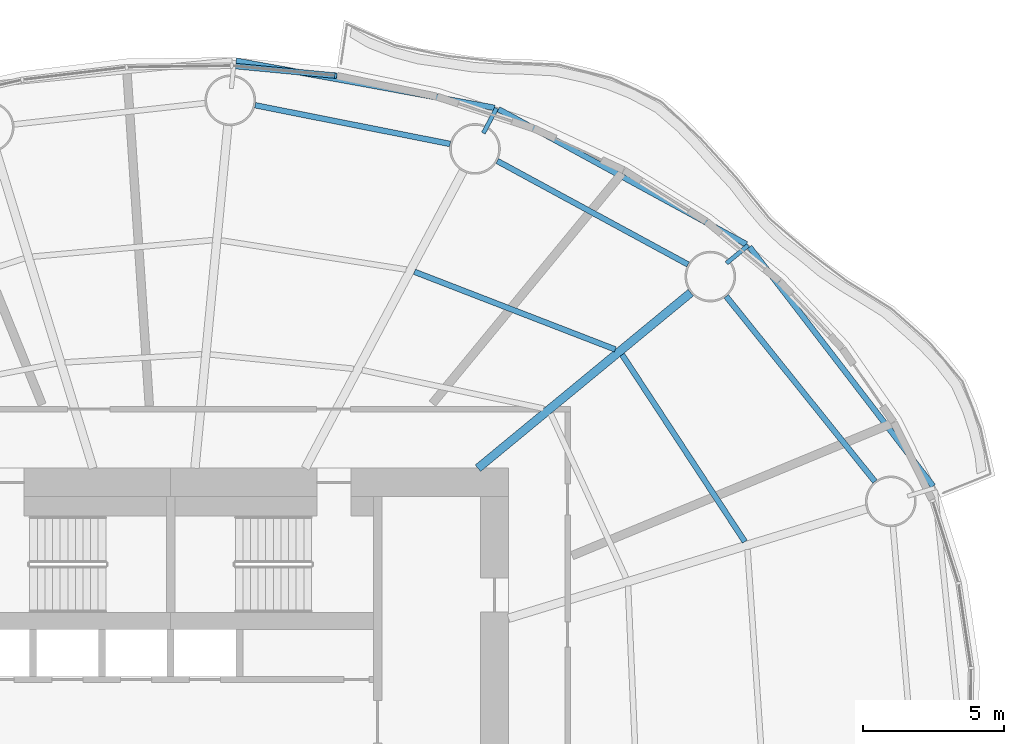
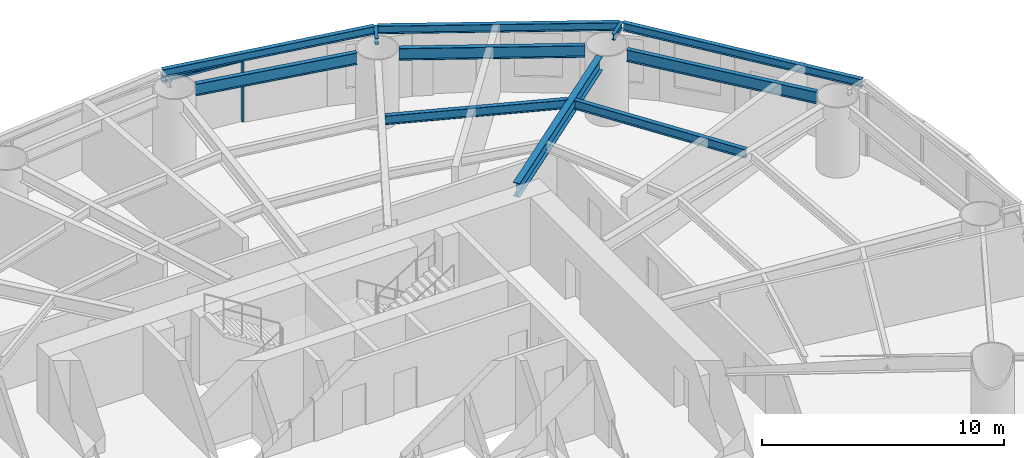
# One storey, part 6 of 16: 11 beams, 2 members, 1 element without a shape of its own.
"""IFC4 building model written with IfcOpenShell, lengths in metres."""

from ifc_helpers import new_model, si_unit, direction, frame, origin, origin_2d, place, context, subcontext, project, spatial, rectangle, i_section, extrude, material, material_profile, profile_set, type_object, element, aggregate, save


model = new_model("IFC4")

# Units and contexts
model_context = context("Model", 3, precision=1e-05, world=origin(), true_north=direction((0.0, 1.0)))
body_context = subcontext(model_context, "Body", "Model", "MODEL_VIEW")
ifc_project = project(units=[si_unit("LENGTHUNIT", "METRE"), si_unit("AREAUNIT", "SQUARE_METRE"), si_unit("VOLUMEUNIT", "CUBIC_METRE"), si_unit("PLANEANGLEUNIT", "RADIAN"), si_unit("MASSUNIT", "GRAM", prefix="KILO")], contexts=[model_context])

# Site, building, storey
site_placement = place(None, origin())
site = spatial("IfcSite", under=ifc_project, at=site_placement, CompositionType="ELEMENT")
building_placement = place(site_placement, origin())
building = spatial("IfcBuilding", under=site, at=building_placement, Name="Vermilion Reach Broadcast Tower", CompositionType="ELEMENT")
storey_placement = place(building_placement, frame((0.0, 0.0, 50.800048828125)))
storey = spatial("IfcBuildingStorey", under=building, at=storey_placement, Name="L09", CompositionType="ELEMENT", Elevation=50.800048828125)

# Beams
ifc_material_1 = material(Name="Steel S355J2", Category="steel")
ifc_material_profile_1 = material_profile(ifc_material_1, i_section(OverallWidth=0.199951171875, OverallDepth=0.39990234375, WebThickness=0.008056640625, FlangeThickness=0.012939453125, at=origin_2d()), Name="S355J2 HN 400x200x8x13")
ifc_profile_set_1 = profile_set([ifc_material_profile_1], Name="Steel S355J2")
beam_type_1 = type_object("IfcBeamType", Name="EB1 HN 400x200x8x13", PredefinedType="BEAM", material=ifc_profile_set_1)
beam_1_placement = place(storey_placement, frame((21.07958984375, 8.362548828125, 3.349853515625), z_axis=(-0.608997627063, 0.793172043274, 0.0), x_axis=(-0.793172043274, -0.608997627063, 0.0)))
element("IfcBeam", 1, at=beam_1_placement, inside=storey, type_object=beam_type_1, Name="Edge beam EB1-01", PredefinedType="BEAM", context=body_context, shape_type="SweptSolid", body=[
    extrude(i_section(OverallWidth=0.199951171875, OverallDepth=0.39990234375, WebThickness=0.008056640625, FlangeThickness=0.012939453125, at=origin_2d()), origin(), (0.0, 0.0, 1.0), 10.708251953125),
])
beam_2_placement = place(storey_placement, frame((14.441650390625, 16.9541015625, 3.349853515625), z_axis=(-0.878152468234, 0.478380855108, 0.0), x_axis=(-0.478380855108, -0.878152468234, 0.0)))
element("IfcBeam", 2, at=beam_2_placement, inside=storey, type_object=beam_type_1, Name="Edge beam EB1-02", PredefinedType="BEAM", context=body_context, shape_type="SweptSolid", body=[
    extrude(i_section(OverallWidth=0.199951171875, OverallDepth=0.39990234375, WebThickness=0.008056640625, FlangeThickness=0.012939453125, at=origin_2d()), origin(), (0.0, 0.0, 1.0), 10.01904296875),
])
beam_3_placement = place(storey_placement, frame((5.5, 21.797119140625, 3.349853515625), z_axis=(-0.983788498434, 0.179332624888, 0.0), x_axis=(-0.179332624888, -0.983788498434, 0.0)))
element("IfcBeam", 3, at=beam_3_placement, inside=storey, type_object=beam_type_1, Name="Edge beam EB1-03", PredefinedType="BEAM", context=body_context, shape_type="SweptSolid", body=[
    extrude(i_section(OverallWidth=0.199951171875, OverallDepth=0.39990234375, WebThickness=0.008056640625, FlangeThickness=0.012939453125, at=origin_2d()), origin(), (0.0, 0.0, 1.0), 9.320068359375),
])
ifc_material_2 = material(Name="Steel S355J2", Category="steel")
ifc_material_profile_2 = material_profile(ifc_material_2, i_section(OverallWidth=0.300048828125, OverallDepth=0.699951171875, WebThickness=0.012939453125, FlangeThickness=0.02392578125, at=origin_2d()), Name="S355J2 HN 700x300x13x24")
ifc_profile_set_2 = profile_set([ifc_material_profile_2], Name="Steel S355J2")
beam_type_2 = type_object("IfcBeamType", Name="G1 HN 700x300x13x24", PredefinedType="BEAM", material=ifc_profile_set_2)
beam_4_placement = place(storey_placement, frame((4.9140625, 9.0, 3.199951171875), z_axis=(0.771514256373, 0.636212034005, 0.0), x_axis=(-0.636212034005, 0.771514256373, 0.0)))
element("IfcBeam", 4, at=beam_4_placement, inside=storey, type_object=beam_type_2, Name="Girder G1-02", PredefinedType="BEAM", context=body_context, shape_type="SweptSolid", body=[
    extrude(i_section(OverallWidth=0.300048828125, OverallDepth=0.699951171875, WebThickness=0.012939453125, FlangeThickness=0.02392578125, at=origin_2d()), origin(), (0.0, 0.0, 1.0), 9.796142578125),
])
ifc_material_3 = material(Name="Steel S355J2", Category="steel")
ifc_material_profile_3 = material_profile(ifc_material_3, i_section(OverallWidth=0.14990234375, OverallDepth=0.300048828125, WebThickness=0.006591796875, FlangeThickness=0.009033203125, at=origin_2d()), Name="S355J2 HN 300x150x6.5x9")
ifc_profile_set_3 = profile_set([ifc_material_profile_3], Name="Steel S355J2")
beam_type_3 = type_object("IfcBeamType", Name="GS1 HN 300x150x6.5x9", PredefinedType="BEAM", material=ifc_profile_set_3)
for number, where, z_axis, x_axis, name in (
    (5, (13.7412109375, 16.279052734375, 3.39990234375), (0.771493112118, 0.636237674108, 0.0), (-0.636237674108, 0.771493112118, 0.0), "Cantilever stub GS1-02"),
    (6, (5.108154296875, 20.89990234375, 3.39990234375), (0.469244476458, 0.883068299348, 0.0), (-0.883068299348, 0.469244476458, 0.0), "Cantilever stub GS1-03"),
):
    element("IfcBeam", number, at=place(storey_placement, frame(where, z_axis=z_axis, x_axis=x_axis)), inside=storey, type_object=beam_type_3, Name=name, PredefinedType="BEAM", context=body_context, shape_type="SweptSolid", body=[
        extrude(i_section(OverallWidth=0.14990234375, OverallDepth=0.300048828125, WebThickness=0.006591796875, FlangeThickness=0.009033203125, at=origin_2d()), origin(), (0.0, 0.0, 1.0), 1.0),
    ])
ifc_material_4 = material(Name="Steel S355J2", Category="steel")
ifc_material_profile_4 = material_profile(ifc_material_4, i_section(OverallWidth=0.199951171875, OverallDepth=0.60009765625, WebThickness=0.010986328125, FlangeThickness=0.01708984375, at=origin_2d()), Name="S355J2 HN 600x200x11x17")
ifc_profile_set_4 = profile_set([ifc_material_profile_4], Name="Steel S355J2")
beam_type_4 = type_object("IfcBeamType", Name="RB1 HN 600x200x11x17", PredefinedType="BEAM", material=ifc_profile_set_4)
beam_5_placement = place(storey_placement, frame((19.011962890625, 8.52587890625, 3.25), z_axis=(-0.626162157191, 0.779692858055, 0.0), x_axis=(-0.779692858055, -0.626162157191, 0.0)))
element("IfcBeam", 7, at=beam_5_placement, inside=storey, type_object=beam_type_4, Name="Ring beam RB1-01", PredefinedType="BEAM", context=body_context, shape_type="SweptSolid", body=[
    extrude(i_section(OverallWidth=0.199951171875, OverallDepth=0.60009765625, WebThickness=0.010986328125, FlangeThickness=0.01708984375, at=origin_2d()), origin(), (0.0, 0.0, 1.0), 8.435791015625),
])
beam_6_placement = place(storey_placement, frame((12.375244140625, 16.234130859375, 3.25), z_axis=(-0.878962319551, 0.476891225344, 0.0), x_axis=(-0.476891225344, -0.878962319551, 0.0)))
element("IfcBeam", 8, at=beam_6_placement, inside=storey, type_object=beam_type_4, Name="Ring beam RB1-02", PredefinedType="BEAM", context=body_context, shape_type="SweptSolid", body=[
    extrude(i_section(OverallWidth=0.199951171875, OverallDepth=0.60009765625, WebThickness=0.010986328125, FlangeThickness=0.01708984375, at=origin_2d()), origin(), (0.0, 0.0, 1.0), 7.707275390625),
])
beam_7_placement = place(storey_placement, frame((3.927001953125, 20.51416015625, 3.25), z_axis=(-0.980857717995, 0.194725799651, 0.0), x_axis=(-0.194725799651, -0.980857717995, 0.0)))
element("IfcBeam", 9, at=beam_7_placement, inside=storey, type_object=beam_type_4, Name="Ring beam RB1-03", PredefinedType="BEAM", context=body_context, shape_type="SweptSolid", body=[
    extrude(i_section(OverallWidth=0.199951171875, OverallDepth=0.60009765625, WebThickness=0.010986328125, FlangeThickness=0.01708984375, at=origin_2d()), origin(), (0.0, 0.0, 1.0), 7.05859375),
])
ifc_material_5 = material(Name="Steel S355J2", Category="steel")
ifc_material_profile_5 = material_profile(ifc_material_5, i_section(OverallWidth=0.199951171875, OverallDepth=0.449951171875, WebThickness=0.009033203125, FlangeThickness=0.013916015625, at=origin_2d()), Name="S355J2 HN 450x200x9x14")
ifc_profile_set_5 = profile_set([ifc_material_profile_5], Name="Steel S355J2")
beam_type_5 = type_object("IfcBeamType", Name="SB1 HN 450x200x9x14", PredefinedType="BEAM", material=ifc_profile_set_5)
beam_8_placement = place(storey_placement, frame((14.390625, 6.394775390625, 3.324951171875), z_axis=(-0.548800909102, 0.835953086105, 0.0), x_axis=(-0.835953086105, -0.548800909102, 0.0)))
element("IfcBeam", 10, at=beam_8_placement, inside=storey, type_object=beam_type_5, Name="Secondary beam SB1-01-2", PredefinedType="BEAM", context=body_context, shape_type="SweptSolid", body=[
    extrude(i_section(OverallWidth=0.199951171875, OverallDepth=0.449951171875, WebThickness=0.009033203125, FlangeThickness=0.013916015625, at=origin_2d()), origin(), (0.0, 0.0, 1.0), 7.935791015625),
])
beam_9_placement = place(storey_placement, frame((9.7919921875, 13.217041015625, 3.324951171875), z_axis=(-0.932680743753, 0.360702966765, 0.0), x_axis=(-0.360702966765, -0.932680743753, 0.0)))
element("IfcBeam", 11, at=beam_9_placement, inside=storey, type_object=beam_type_5, Name="Secondary beam SB1-02-2", PredefinedType="BEAM", context=body_context, shape_type="SweptSolid", body=[
    extrude(i_section(OverallWidth=0.199951171875, OverallDepth=0.449951171875, WebThickness=0.009033203125, FlangeThickness=0.013916015625, at=origin_2d()), origin(), (0.0, 0.0, 1.0), 7.646240234375),
])

# Curtain wall, members
ifc_material_6 = material(Name="Low-e laminated clear glass in aluminium frame", Category="aluminium")
curtain_wall_type = type_object("IfcCurtainWallType", Name="Slot curtain wall", PredefinedType="NOTDEFINED", material=ifc_material_6)
curtain_wall_placement = place(storey_placement, origin())
curtain_wall = element("IfcCurtainWall", 12, at=curtain_wall_placement, inside=storey, type_object=curtain_wall_type, Name="Slot curtain wall L09 10", PredefinedType="NOTDEFINED")
ifc_material_7 = material(Name="Anodised aluminium", Category="aluminium")
ifc_material_profile_6 = material_profile(ifc_material_7, rectangle(XDim=0.199951171875, YDim=0.080078125, at=origin_2d()), Name="Slot mullion 80 x 200")
ifc_profile_set_6 = profile_set([ifc_material_profile_6], Name="Anodised aluminium")
member_type_1 = type_object("IfcMemberType", Name="Slot mullion 80 x 200", PredefinedType="MULLION", material=ifc_profile_set_6)
member_1_placement = place(storey_placement, frame((-0.1357421875, 22.939697265625, 0.0), z_axis=(0.0, 0.0, 1.0), x_axis=(-0.148862346539, -0.988857928007, 0.0)))
member_1 = element("IfcMember", 13, at=member_1_placement, type_object=member_type_1, Name="Slot mullion L09 10", PredefinedType="MULLION", context=body_context, shape_type="SweptSolid", body=[
    extrude(rectangle(XDim=0.199951171875, YDim=0.080078125, at=origin_2d()), origin(), (0.0, 0.0, 1.0), 3.14990234375),
])
ifc_material_8 = material(Name="Anodised aluminium", Category="aluminium")
ifc_material_profile_7 = material_profile(ifc_material_8, rectangle(XDim=0.199951171875, YDim=0.10009765625, at=origin_2d()), Name="Slot transom 200 x 100")
ifc_profile_set_7 = profile_set([ifc_material_profile_7], Name="Anodised aluminium")
member_type_2 = type_object("IfcMemberType", Name="Slot transom 200 x 100", PredefinedType="USERDEFINED", material=ifc_profile_set_7)
member_2_placement = place(storey_placement, frame((-0.17578125, 22.943603515625, 3.099853515625), z_axis=(-0.995537394364, 0.094367878136, 0.0), x_axis=(-0.094367878136, -0.995537394364, 0.0)))
member_2 = element("IfcMember", 14, at=member_2_placement, type_object=member_type_2, Name="Slot transom L09 10.1", ObjectType="TRANSOM", PredefinedType="USERDEFINED", context=body_context, shape_type="SweptSolid", body=[
    extrude(rectangle(XDim=0.199951171875, YDim=0.10009765625, at=origin_2d()), origin(), (0.0, 0.0, 1.0), 3.629638671875),
])
aggregate(curtain_wall, [member_1, member_2])

save(model, "model.ifc")
